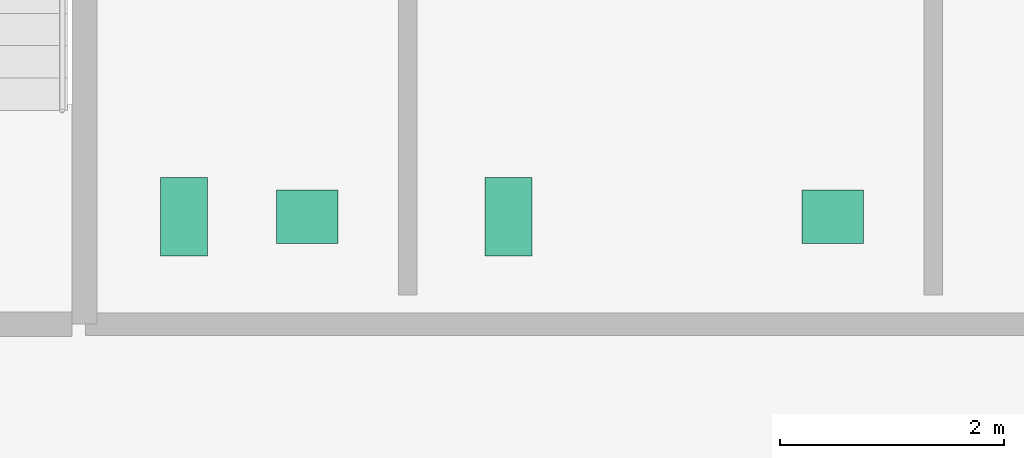
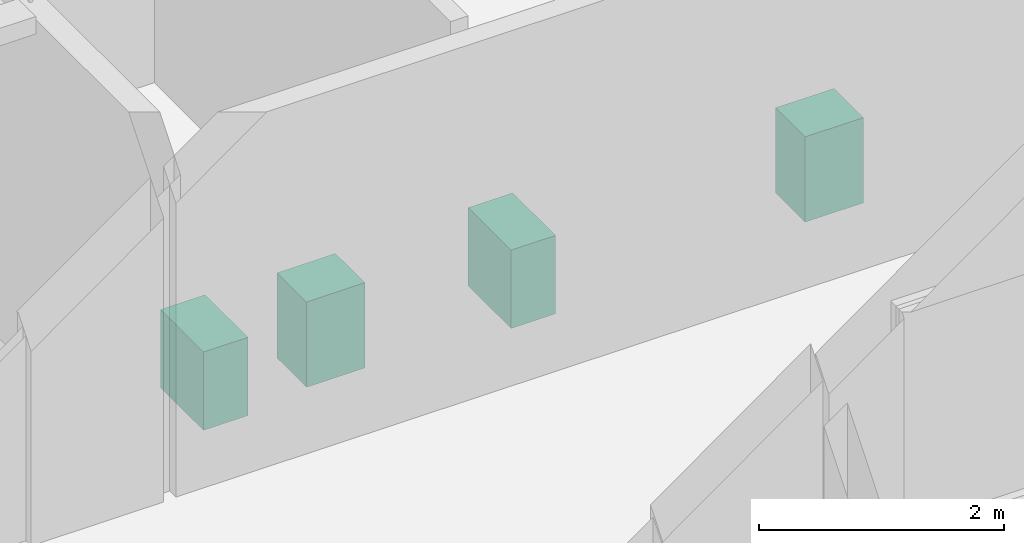
# One storey, part 14 of 14: 4 sanitary terminals.
"""IFC4 building model written with IfcOpenShell, lengths in metres."""

from ifc_helpers import new_model, si_unit, direction, frame, origin, origin_2d, place, context, subcontext, project, spatial, rectangle, extrude, material, type_object, element, save


model = new_model("IFC4")

# Units and contexts
model_context = context("Model", 3, precision=1e-05, world=origin(), true_north=direction((0.0, 1.0)))
body_context = subcontext(model_context, "Body", "Model", "MODEL_VIEW")
ifc_project = project(units=[si_unit("LENGTHUNIT", "METRE"), si_unit("AREAUNIT", "SQUARE_METRE"), si_unit("VOLUMEUNIT", "CUBIC_METRE"), si_unit("PLANEANGLEUNIT", "RADIAN"), si_unit("MASSUNIT", "GRAM", prefix="KILO")], contexts=[model_context])

# Site, building, storey
site_placement = place(None, origin())
site = spatial("IfcSite", under=ifc_project, at=site_placement, CompositionType="ELEMENT")
building_placement = place(site_placement, origin())
building = spatial("IfcBuilding", under=site, at=building_placement, Name="Norrvale University Quadrangle", CompositionType="ELEMENT")
storey_placement = place(building_placement, frame((0.0, 0.0, 214.199951171875)))
storey = spatial("IfcBuildingStorey", under=building, at=storey_placement, Name="L54", CompositionType="ELEMENT", Elevation=214.199951171875)

# Sanitary terminals
ifc_material = material(Name="Vitreous China Sanitaryware")
sanitary_terminal_type_1 = type_object("IfcSanitaryTerminalType", Name="Sanitary Wash Basin", PredefinedType="WASHHANDBASIN", material=ifc_material)
for number, where, z_axis, x_axis, name in (
    (1, (8.300048828125, 41.10009765625, 0.0), (0.0, 0.0, 1.0), (1.0, 0.0, 0.0), "Accessible Countertop Washbasin L54-1"),
    (2, (13.0, 41.10009765625, 0.0), (0.0, 0.0, 1.0), (1.0, 0.0, 0.0), "Accessible Countertop Washbasin L54-2"),
):
    element("IfcSanitaryTerminal", number, at=place(storey_placement, frame(where, z_axis=z_axis, x_axis=x_axis)), inside=storey, type_object=sanitary_terminal_type_1, Name=name, PredefinedType="WASHHANDBASIN", context=body_context, shape_type="SweptSolid", body=[
        extrude(rectangle(XDim=0.550048828125, YDim=0.47998046875, at=origin_2d()), origin(), (0.0, 0.0, 1.0), 0.85009765625),
    ])
sanitary_terminal_type_2 = type_object("IfcSanitaryTerminalType", Name="Sanitary Water Closet", PredefinedType="TOILETPAN", material=ifc_material)
for number, where, z_axis, x_axis, name in (
    (3, (7.199951171875, 41.10009765625, 0.0), (0.0, 0.0, 1.0), (1.0, 0.0, 0.0), "Wall-Hung Water Closet L54-1"),
    (4, (10.10009765625, 41.10009765625, 0.0), (0.0, 0.0, 1.0), (1.0, 0.0, 0.0), "Wall-Hung Water Closet L54-2"),
):
    element("IfcSanitaryTerminal", number, at=place(storey_placement, frame(where, z_axis=z_axis, x_axis=x_axis)), inside=storey, type_object=sanitary_terminal_type_2, Name=name, PredefinedType="TOILETPAN", context=body_context, shape_type="SweptSolid", body=[
        extrude(rectangle(XDim=0.419921875, YDim=0.699951171875, at=origin_2d()), origin(), (0.0, 0.0, 1.0), 0.780029296875),
    ])

save(model, "model.ifc")
